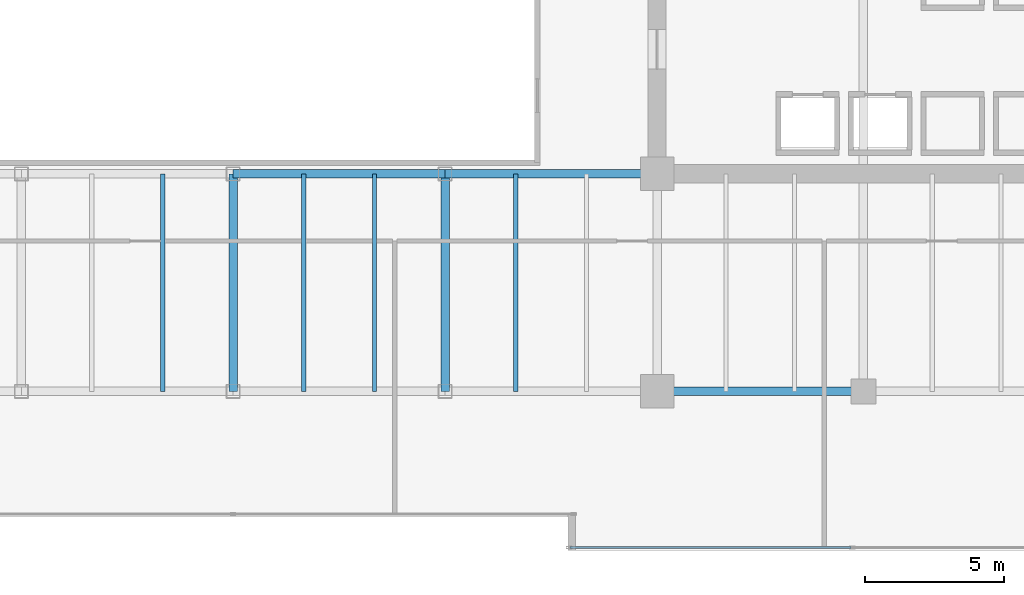
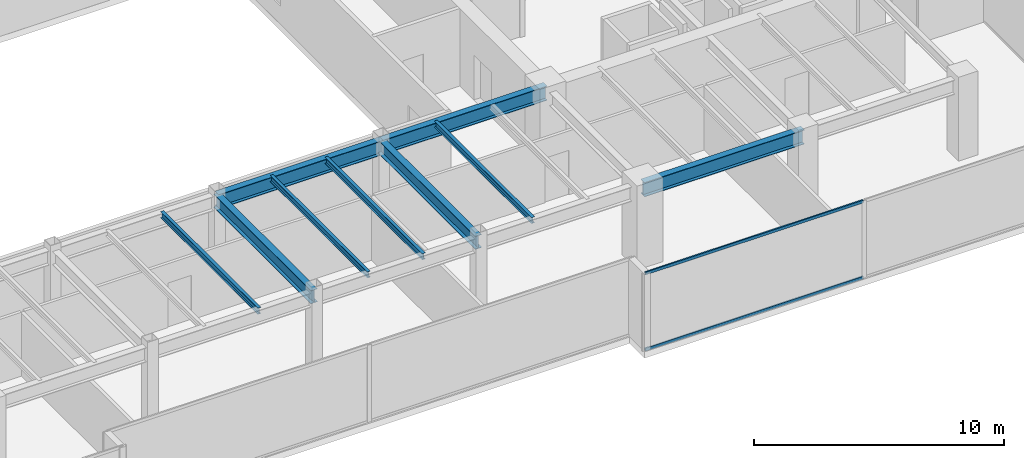
# One storey, part 11 of 30: 9 beams, 2 members, 1 element without a shape of its own.
"""IFC4 building model written with IfcOpenShell, lengths in metres."""

from ifc_helpers import new_model, si_unit, direction, frame, origin, origin_2d, place, context, subcontext, project, spatial, hollow_rectangle, i_section, extrude, source, transform, mapped, material, layer, layer_set, material_profile, profile_set, type_object, type_shapes, element, aggregate, save


model = new_model("IFC4")

# Units and contexts
model_context = context("Model", 3, precision=1e-05, world=origin(), true_north=direction((0.0, 1.0)))
body_context = subcontext(model_context, "Body", "Model", "MODEL_VIEW")
ifc_project = project(units=[si_unit("LENGTHUNIT", "METRE"), si_unit("AREAUNIT", "SQUARE_METRE"), si_unit("VOLUMEUNIT", "CUBIC_METRE"), si_unit("PLANEANGLEUNIT", "RADIAN"), si_unit("MASSUNIT", "GRAM", prefix="KILO")], contexts=[model_context])

# Site, building, storey
site_placement = place(None, origin())
site = spatial("IfcSite", under=ifc_project, at=site_placement, CompositionType="ELEMENT")
building_placement = place(site_placement, origin())
building = spatial("IfcBuilding", under=site, at=building_placement, Name="Haelvirn Gate Laboratories", CompositionType="ELEMENT")
storey_placement = place(building_placement, frame((0.0, 0.0, 105.10009765625)))
storey = spatial("IfcBuildingStorey", under=building, at=storey_placement, Name="L25", CompositionType="ELEMENT", Elevation=105.10009765625)

# Beams
ifc_material_1 = material(Name="Steel SM355", Category="steel")
ifc_material_profile_1 = material_profile(ifc_material_1, i_section(OverallWidth=0.300048828125, OverallDepth=0.64990234375, WebThickness=0.012939453125, FlangeThickness=0.02197265625, at=origin_2d()), Name="H-650x300x13x22")
ifc_profile_set_1 = profile_set([ifc_material_profile_1], Name="Steel SM355")
beam_type_1 = type_object("IfcBeamType", Name="BM-G-650", PredefinedType="BEAM", material=ifc_profile_set_1)
shared_shape_1 = source(origin(), body_context, "Body", "SweptSolid", [
    extrude(i_section(OverallWidth=0.300048828125, OverallDepth=0.64990234375, WebThickness=0.012939453125, FlangeThickness=0.02197265625, at=origin_2d()), origin(), (0.0, 0.0, 1.0), 7.800048828125),
])
type_shapes(beam_type_1, [shared_shape_1])
for number, where, z_axis, x_axis, name in (
    (1, (37.39990234375, 7.0, 3.46484375), (0.0, 1.0, 0.0), (-1.0, 0.0, 0.0), "L25 Frame Girder X37.4 (7.0-14.8)"),
    (2, (45.0, 7.0, 3.46484375), (0.0, 1.0, 0.0), (-1.0, 0.0, 0.0), "L25 Frame Girder X45.0 (7.0-14.8)"),
):
    element("IfcBeam", number, at=place(storey_placement, frame(where, z_axis=z_axis, x_axis=x_axis)), inside=storey, type_object=beam_type_1, Name=name, PredefinedType="BEAM", context=body_context, shape_type="MappedRepresentation", body=[
        mapped(shared_shape_1, transform((0.0, 0.0, 0.0), scale=1.0)),
    ])
ifc_material_profile_2 = material_profile(ifc_material_1, i_section(OverallWidth=0.300048828125, OverallDepth=0.699951171875, WebThickness=0.012939453125, FlangeThickness=0.02392578125, at=origin_2d()), Name="H-700x300x13x24")
ifc_profile_set_2 = profile_set([ifc_material_profile_2], Name="Steel SM355")
beam_type_2 = type_object("IfcBeamType", Name="BM-G-700", PredefinedType="BEAM", material=ifc_profile_set_2)
shared_shape_2 = source(origin(), body_context, "Body", "SweptSolid", [
    extrude(i_section(OverallWidth=0.300048828125, OverallDepth=0.699951171875, WebThickness=0.012939453125, FlangeThickness=0.02392578125, at=origin_2d()), origin(), (0.0, 0.0, 1.0), 7.39990234375),
])
beam_placement = place(storey_placement, frame((52.60009765625, 7.0, 3.43994140625), z_axis=(1.0, 0.0, 0.0), x_axis=(0.0, 1.0, 0.0)))
element("IfcBeam", 3, at=beam_placement, inside=storey, type_object=beam_type_2, Name="L25 Primary Girder Y7.0 (52.6-60.0)", PredefinedType="BEAM", context=body_context, shape_type="MappedRepresentation", body=[
    mapped(shared_shape_2, transform((0.0, 0.0, 0.0), scale=1.0)),
])
shared_shape_3 = source(origin(), body_context, "Body", "SweptSolid", [
    extrude(i_section(OverallWidth=0.300048828125, OverallDepth=0.699951171875, WebThickness=0.012939453125, FlangeThickness=0.02392578125, at=origin_2d()), origin(), (0.0, 0.0, 1.0), 7.60009765625),
])
type_shapes(beam_type_2, [shared_shape_2, shared_shape_3])
for number, where, z_axis, x_axis, name in (
    (4, (37.39990234375, 14.800048828125, 3.43994140625), (1.0, 0.0, 0.0), (0.0, 1.0, 0.0), "L25 Primary Girder Y14.8 (37.4-45.0)"),
    (5, (45.0, 14.800048828125, 3.43994140625), (1.0, 0.0, 0.0), (0.0, 1.0, 0.0), "L25 Primary Girder Y14.8 (45.0-52.6)"),
):
    element("IfcBeam", number, at=place(storey_placement, frame(where, z_axis=z_axis, x_axis=x_axis)), inside=storey, type_object=beam_type_2, Name=name, PredefinedType="BEAM", context=body_context, shape_type="MappedRepresentation", body=[
        mapped(shared_shape_3, transform((0.0, 0.0, 0.0), scale=1.0)),
    ])
ifc_material_profile_3 = material_profile(ifc_material_1, i_section(OverallWidth=0.14990234375, OverallDepth=0.300048828125, WebThickness=0.006591796875, FlangeThickness=0.009033203125, at=origin_2d()), Name="H-300x150x6.5x9")
ifc_profile_set_3 = profile_set([ifc_material_profile_3], Name="Steel SM355")
beam_type_3 = type_object("IfcBeamType", Name="BM-J-300", PredefinedType="JOIST", material=ifc_profile_set_3)
shared_shape_4 = source(origin(), body_context, "Body", "SweptSolid", [
    extrude(i_section(OverallWidth=0.14990234375, OverallDepth=0.300048828125, WebThickness=0.006591796875, FlangeThickness=0.009033203125, at=origin_2d()), origin(), (0.0, 0.0, 1.0), 7.800048828125),
])
type_shapes(beam_type_3, [shared_shape_4])
for number, where, z_axis, x_axis, name in (
    (6, (34.8701171875, 7.0, 3.639892578125), (0.0, 1.0, 0.0), (-1.0, 0.0, 0.0), "L25 Composite Lab Joist South X34.87"),
    (7, (39.929931640625, 7.0, 3.639892578125), (0.0, 1.0, 0.0), (-1.0, 0.0, 0.0), "L25 Composite Lab Joist South X39.93"),
    (8, (42.469970703125, 7.0, 3.639892578125), (0.0, 1.0, 0.0), (-1.0, 0.0, 0.0), "L25 Composite Lab Joist South X42.47"),
    (9, (47.530029296875, 7.0, 3.639892578125), (0.0, 1.0, 0.0), (-1.0, 0.0, 0.0), "L25 Composite Lab Joist South X47.53"),
):
    element("IfcBeam", number, at=place(storey_placement, frame(where, z_axis=z_axis, x_axis=x_axis)), inside=storey, type_object=beam_type_3, Name=name, PredefinedType="JOIST", context=body_context, shape_type="MappedRepresentation", body=[
        mapped(shared_shape_4, transform((0.0, 0.0, 0.0), scale=1.0)),
    ])

# Curtain wall, members
ifc_material_2 = material(Name="Anodised bronze unitised aluminium & triple low-E glass", Category="aluminium")
ifc_layer = layer(ifc_material_2, 0.179931640625, Name="CW-SYS-3")
ifc_layer_set = layer_set([ifc_layer], Name="Anodised bronze unitised aluminium & triple low-E glass")
curtain_wall_type = type_object("IfcCurtainWallType", Name="CW-SYS-3", PredefinedType="NOTDEFINED", material=ifc_layer_set)
curtain_wall_placement = place(storey_placement, origin())
curtain_wall = element("IfcCurtainWall", 10, at=curtain_wall_placement, inside=storey, type_object=curtain_wall_type, Name="L25 Unitised Curtain Wall CW-L25-P0-E04-1", PredefinedType="NOTDEFINED")
ifc_material_3 = material(Name="Extruded aluminium 6063-T6 (anodised bronze)", Category="aluminium")
ifc_material_profile_4 = material_profile(ifc_material_3, hollow_rectangle(XDim=0.06494140625, YDim=0.139892578125, WallThickness=0.00390625, at=origin_2d()), Name="CWT-140x65x4")
ifc_profile_set_4 = profile_set([ifc_material_profile_4], Name="Extruded aluminium 6063-T6 (anodised bronze)")
member_type = type_object("IfcMemberType", Name="CWT-T140", PredefinedType="USERDEFINED", material=ifc_profile_set_4)
shared_shape_5 = source(origin(), body_context, "Body", "SweptSolid", [
    extrude(hollow_rectangle(XDim=0.06494140625, YDim=0.139892578125, WallThickness=0.00390625, at=origin_2d()), origin(), (0.0, 0.0, 1.0), 10.08740234375),
])
type_shapes(member_type, [shared_shape_5])
member_1_placement = place(storey_placement, frame((49.47509765625, 1.39990234375, 0.032470703125), z_axis=(1.0, 0.0, 0.0), x_axis=(0.0, 1.0, 0.0)))
member_1 = element("IfcMember", 11, at=member_1_placement, type_object=member_type, Name="CW3 transom 1.1", ObjectType="TRANSOM", PredefinedType="USERDEFINED", context=body_context, shape_type="MappedRepresentation", body=[
    mapped(shared_shape_5, transform((0.0, 0.0, 0.0), scale=1.0)),
])
member_2_placement = place(storey_placement, frame((49.47509765625, 1.39990234375, 3.75732421875), z_axis=(1.0, 0.0, 0.0), x_axis=(0.0, 1.0, 0.0)))
member_2 = element("IfcMember", 12, at=member_2_placement, type_object=member_type, Name="CW3 transom 1.2", ObjectType="TRANSOM", PredefinedType="USERDEFINED", context=body_context, shape_type="MappedRepresentation", body=[
    mapped(shared_shape_5, transform((0.0, 0.0, 0.0), scale=1.0)),
])
aggregate(curtain_wall, [member_1, member_2])

save(model, "model.ifc")
